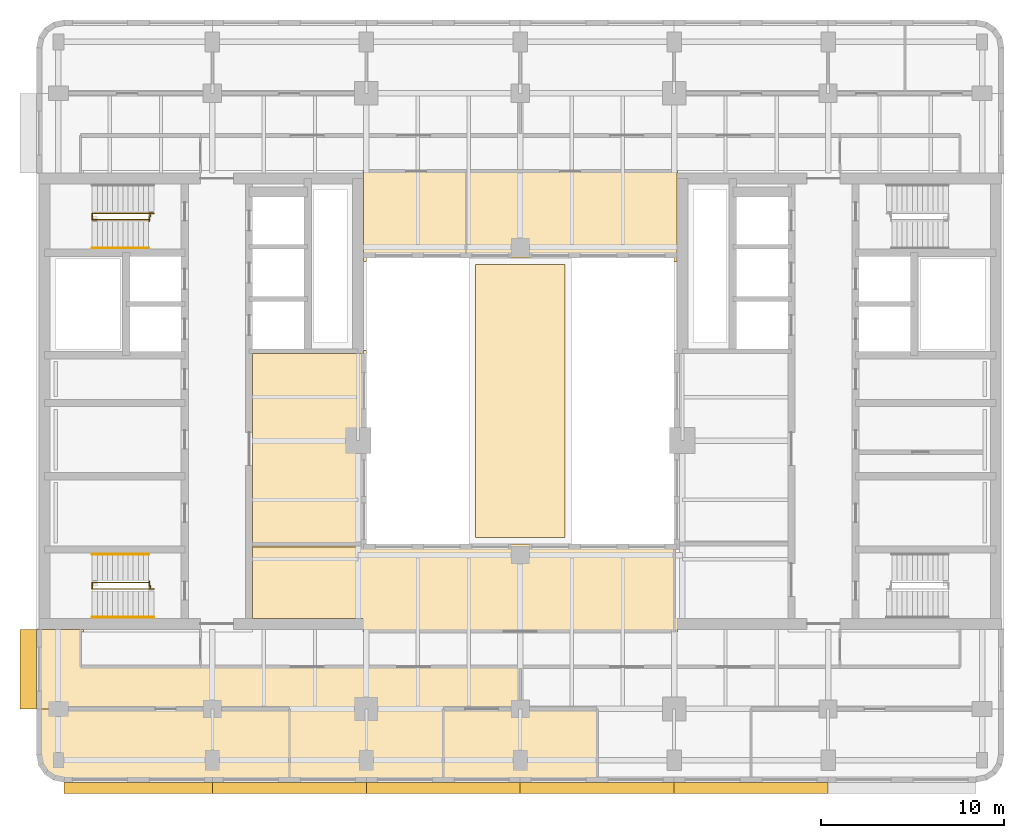
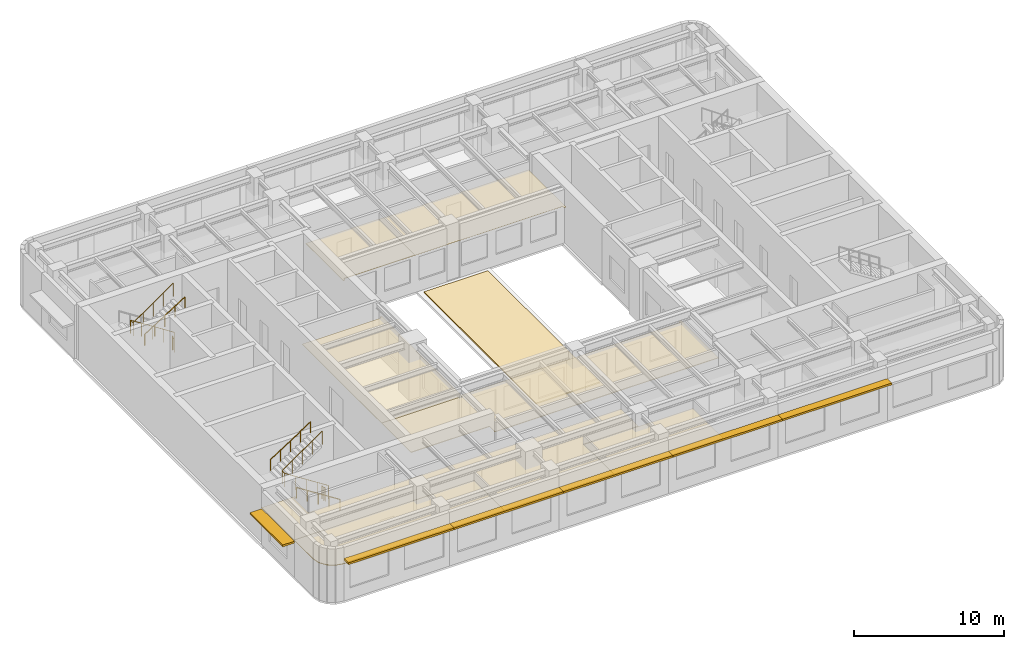
# One storey, part 9 of 11: 8 coverings, 7 railings, 6 shading devices.
"""IFC4 building model written with IfcOpenShell, lengths in metres."""

import ifcopenshell
import ifcopenshell.guid

model = None  # the IFC model being written
_history = None  # IfcOwnerHistory: only IFC2X3 demands one
_inside = {}  # id of a spatial element -> (the spatial element, [elements in it])
_under = {}  # id of a project, library or spatial element -> (it, [spatial elements below it])
_declared = {}  # id of a project -> (the project, [libraries it declares])
_typed = {}  # id of a type object -> (the type object, [elements of that type])
_made_of = {}  # id of a material, layer set ... -> (it, [elements and type objects made of it])


def new_model(schema):
    """Start an empty IFC model of exactly this schema.

    Asked for "IFC4X3", IfcOpenShell would pick the latest addendum, in which some entities
    have other attributes; the version numbers below select the first issue.
    IFC2X3 requires an IfcOwnerHistory on every rooted entity: one is made here for all.
    """
    global model, _history
    if schema == "IFC4X3":
        model = ifcopenshell.file(schema_version=(4, 3, 0, 0))
    else:
        model = ifcopenshell.file(schema=schema)
    _inside.clear()
    _under.clear()
    _declared.clear()
    _typed.clear()
    _made_of.clear()
    _history = None
    if model.schema == "IFC2X3":
        org = make("IfcOrganization", Name="unknown")
        user = make(
            "IfcPersonAndOrganization",
            ThePerson=make("IfcPerson", FamilyName="unknown"),
            TheOrganization=org,
        )
        app = make(
            "IfcApplication",
            ApplicationDeveloper=org,
            Version="unknown",
            ApplicationFullName="unknown",
            ApplicationIdentifier="unknown",
        )
        _history = make(
            "IfcOwnerHistory",
            OwningUser=user,
            OwningApplication=app,
            ChangeAction="ADDED",
            CreationDate=0,
        )
    return model


def make(cls, **values):
    """One entity of the class cls with the attributes given. An attribute that is None is left unset."""
    return model.create_entity(
        cls, **{name: value for name, value in values.items() if value is not None}
    )


def rooted(cls, **values):
    """An entity with a GlobalId (a new one), such as an element, a storey or a relation."""
    return make(cls, GlobalId=ifcopenshell.guid.new(), OwnerHistory=_history, **values)


def si_unit(unit_type, name, prefix=None):
    """IfcSIUnit, for example si_unit("LENGTHUNIT", "METRE", prefix="MILLI")."""
    return make("IfcSIUnit", UnitType=unit_type, Prefix=prefix, Name=name)


def assignment(units):
    """IfcUnitAssignment: the units of a project."""
    return None if units is None else make("IfcUnitAssignment", Units=units)


def point(xyz):
    """IfcCartesianPoint."""
    return None if xyz is None else make("IfcCartesianPoint", Coordinates=xyz)


def direction(xyz):
    """IfcDirection."""
    return None if xyz is None else make("IfcDirection", DirectionRatios=xyz)


def frame(location, z_axis=None, x_axis=None):
    """IfcAxis2Placement3D, a coordinate frame: its origin and axes. An axis left out is left unset."""
    return make(
        "IfcAxis2Placement3D",
        Location=point(location),
        Axis=direction(z_axis),
        RefDirection=direction(x_axis),
    )


def frame_2d(location, x_axis=None):
    """IfcAxis2Placement2D, a coordinate frame in the plane: its origin and x axis."""
    return make(
        "IfcAxis2Placement2D", Location=point(location), RefDirection=direction(x_axis)
    )


def origin():
    """The frame at (0, 0, 0) with its axes left unset."""
    return frame((0.0, 0.0, 0.0))


def origin_2d():
    """The frame at (0, 0) in the plane with its x axis left unset."""
    return frame_2d((0.0, 0.0))


def place(relative_to, where):
    """IfcLocalPlacement: puts the frame where relative to a parent placement (None: the world)."""
    return make(
        "IfcLocalPlacement", PlacementRelTo=relative_to, RelativePlacement=where
    )


def context(
    kind, dimensions, precision=None, world=None, true_north=None, identifier=None
):
    """IfcGeometricRepresentationContext, for example the 3D "Model" context."""
    return make(
        "IfcGeometricRepresentationContext",
        ContextIdentifier=identifier,
        ContextType=kind,
        CoordinateSpaceDimension=dimensions,
        Precision=precision,
        WorldCoordinateSystem=world,
        TrueNorth=true_north,
    )


def subcontext(parent, identifier, kind, view, scale=None):
    """IfcGeometricRepresentationSubContext, for example "Body" below "Model"."""
    return make(
        "IfcGeometricRepresentationSubContext",
        ContextIdentifier=identifier,
        ContextType=kind,
        ParentContext=parent,
        TargetScale=scale,
        TargetView=view,
    )


def project(units=None, contexts=None):
    """IfcProject with its units and contexts."""
    return rooted(
        "IfcProject",
        Name="project",
        RepresentationContexts=contexts,
        UnitsInContext=assignment(units),
    )


def spatial(cls, under=None, at=None, **own):
    """A site, building, storey or space (cls), placed at a placement, below another one or the project."""
    s = rooted(cls, ObjectPlacement=at, **own)
    if under is not None:
        _under.setdefault(under.id(), (under, []))[1].append(s)
    return s


def polyline(points):
    """IfcPolyline through the points."""
    return make("IfcPolyline", Points=[point(p) for p in points])


def profile(cls, at=None, kind="AREA", **sizes):
    """A parametric profile (cls). Its sizes go by their IFC names, for example OverallWidth=200.0."""
    return make(cls, ProfileType=kind, Position=at, **sizes)


def rectangle(**sizes):
    """IfcRectangleProfileDef."""
    return profile("IfcRectangleProfileDef", **sizes)


def circle(**sizes):
    """IfcCircleProfileDef."""
    return profile("IfcCircleProfileDef", **sizes)


def outline(outer, holes=None, kind="AREA"):
    """IfcArbitraryClosedProfileDef: a profile drawn as a closed curve; with holes, ...WithVoids."""
    if holes is None:
        return make("IfcArbitraryClosedProfileDef", ProfileType=kind, OuterCurve=outer)
    return make(
        "IfcArbitraryProfileDefWithVoids",
        ProfileType=kind,
        OuterCurve=outer,
        InnerCurves=holes,
    )


def extrude(swept, where, along, depth):
    """IfcExtrudedAreaSolid: the profile swept, set in the frame where, extruded along a direction by depth."""
    return make(
        "IfcExtrudedAreaSolid",
        SweptArea=swept,
        Position=where,
        ExtrudedDirection=direction(along),
        Depth=depth,
    )


def shape(context_of_items, identifier, shape_type, items):
    """IfcShapeRepresentation: the items that make up one representation, for example the "Body"."""
    return make(
        "IfcShapeRepresentation",
        ContextOfItems=context_of_items,
        RepresentationIdentifier=identifier,
        RepresentationType=shape_type,
        Items=items,
    )


def material(Name=None, Category=None):
    """IfcMaterial."""
    return make("IfcMaterial", Name=Name, Category=Category)


def layer(
    of_material, thickness, ventilated=None, Name=None, Category=None, Priority=None
):
    """IfcMaterialLayer: one layer of a wall or slab, of a material (None: an air gap)."""
    return make(
        "IfcMaterialLayer",
        Material=of_material,
        LayerThickness=thickness,
        IsVentilated=ventilated,
        Name=Name,
        Category=Category,
        Priority=Priority,
    )


def layer_set(layers, Name=None):
    """IfcMaterialLayerSet."""
    return make("IfcMaterialLayerSet", MaterialLayers=layers, LayerSetName=Name)


def made_of(thing, what):
    """Note that an element or type object is made of a material, layer set ...; save() writes the relation."""
    if what is not None:
        _made_of.setdefault(what.id(), (what, []))[1].append(thing)
    return thing


def type_object(cls, material=None, **own):
    """A type object (cls), such as IfcWallType, which elements share."""
    return made_of(rooted(cls, **own), material)


def element(
    cls,
    number,
    at=None,
    inside=None,
    cuts=None,
    type_object=None,
    material=None,
    context=None,
    identifier="Body",
    shape_type=None,
    held_by="IfcProductDefinitionShape",
    body=None,
    shapes=None,
    **own,
):
    """One element of the class cls, such as IfcWall. Its Tag is "e" and its number.

    at: its placement. inside: the storey or other place that contains it. cuts: it is an
    opening in that element (IfcRelVoidsElement). A single representation is given by context,
    identifier, shape_type and body (its items); several are given by shapes. held_by: the class
    of the entity that holds the representations. save() writes the other relations.
    """
    e = rooted(cls, Tag="e%d" % number, ObjectPlacement=at, **own)
    if body is not None:
        shapes = [shape(context, identifier, shape_type, body)]
    if shapes is not None:
        e.Representation = make(held_by, Representations=shapes)
    if inside is not None:
        _inside.setdefault(inside.id(), (inside, []))[1].append(e)
    if cuts is not None:
        rooted(
            "IfcRelVoidsElement", RelatingBuildingElement=cuts, RelatedOpeningElement=e
        )
    if type_object is not None:
        _typed.setdefault(type_object.id(), (type_object, []))[1].append(e)
    return made_of(e, material)


def aggregate(whole, parts):
    """IfcRelAggregates: a whole, such as a stair, and the parts it consists of."""
    return rooted("IfcRelAggregates", RelatingObject=whole, RelatedObjects=parts)


def save(model, path):
    """Write the relations noted so far, then the file.

    IfcRelAggregates (storeys below a building ...), IfcRelContainedInSpatialStructure (elements
    in a storey), IfcRelDefinesByType, IfcRelAssociatesMaterial and IfcRelDeclares: one each for
    every whole, place, type object, material and project.
    """
    for whole, parts in _under.values():
        aggregate(whole, parts)
    for where, things in _inside.values():
        rooted(
            "IfcRelContainedInSpatialStructure",
            RelatedElements=things,
            RelatingStructure=where,
        )
    for kind, things in _typed.values():
        rooted("IfcRelDefinesByType", RelatedObjects=things, RelatingType=kind)
    for what, things in _made_of.values():
        rooted("IfcRelAssociatesMaterial", RelatedObjects=things, RelatingMaterial=what)
    for by, libraries in _declared.values():
        rooted("IfcRelDeclares", RelatingContext=by, RelatedDefinitions=libraries)
    model.write(path)


model = new_model("IFC4")

# Units and contexts
model_context = context("Model", 3, precision=1e-05, world=origin(), true_north=direction((0.0, 1.0)))
body_context = subcontext(model_context, "Body", "Model", "MODEL_VIEW")
ifc_project = project(units=[si_unit("LENGTHUNIT", "METRE"), si_unit("AREAUNIT", "SQUARE_METRE"), si_unit("VOLUMEUNIT", "CUBIC_METRE"), si_unit("PLANEANGLEUNIT", "RADIAN"), si_unit("MASSUNIT", "GRAM", prefix="KILO")], contexts=[model_context])

# Site, building, storey
site_placement = place(None, origin())
site = spatial("IfcSite", under=ifc_project, at=site_placement, CompositionType="ELEMENT")
building_placement = place(site_placement, origin())
building = spatial("IfcBuilding", under=site, at=building_placement, Name="Claustro Exchange Tower", CompositionType="ELEMENT")
storey_placement = place(building_placement, frame((0.0, 0.0, 254.699951171875)))
storey = spatial("IfcBuildingStorey", under=building, at=storey_placement, Name="L58", CompositionType="ELEMENT", Elevation=254.699951171875)

# Coverings
ifc_material_1 = material(Name="Gypsum board ceiling", Category="gypsum board")
ifc_layer_1 = layer(ifc_material_1, 0.02490234375)
ifc_layer_set_1 = layer_set([ifc_layer_1], Name="Gypsum board ceiling")
covering_type_1 = type_object("IfcCoveringType", Name="CL2 plasterboard ceiling", PredefinedType="CEILING", material=ifc_layer_set_1)
covering_1_placement = place(storey_placement, frame((0.0, 0.0, 3.0)))
element("IfcCovering", 1, at=covering_1_placement, inside=storey, type_object=covering_type_1, Name="Ceiling CL2 L58-02", PredefinedType="CEILING", context=body_context, shape_type="SweptSolid", body=[
    extrude(outline(polyline([(21.0, 4.39990234375), (29.39990234375, 4.39990234375), (29.39990234375, 8.39990234375), (21.0, 8.39990234375), (21.0, 4.39990234375)])), origin(), (0.0, 0.0, 1.0), 0.025146484375),
])
covering_2_placement = place(storey_placement, frame((0.0, 0.0, 3.0)))
element("IfcCovering", 2, at=covering_2_placement, inside=storey, type_object=covering_type_1, Name="Ceiling CL2 L58-14", PredefinedType="CEILING", context=body_context, shape_type="SweptSolid", body=[
    extrude(outline(polyline([(33.60009765625, 33.0), (33.60009765625, 32.830078125), (33.75, 32.830078125), (33.75, 37.64990234375), (33.77001953125, 37.64990234375), (33.77001953125, 37.800048828125), (22.239990234375, 37.800048828125), (22.239990234375, 33.0), (33.60009765625, 33.0)])), origin(), (0.0, 0.0, 1.0), 0.025146484375),
])
ifc_material_2 = material(Name="Oak slats on acoustic backing", Category="wood")
ifc_layer_2 = layer(ifc_material_2, 0.050048828125)
ifc_layer_set_2 = layer_set([ifc_layer_2], Name="Oak slats on acoustic backing")
covering_type_2 = type_object("IfcCoveringType", Name="CL3 timber slat ceiling", PredefinedType="CEILING", material=ifc_layer_set_2)
covering_3_placement = place(storey_placement, frame((0.0, 0.0, 3.0)))
element("IfcCovering", 3, at=covering_3_placement, inside=storey, type_object=covering_type_2, Name="Ceiling CL3 L58-01", PredefinedType="CEILING", context=body_context, shape_type="SweptSolid", body=[
    extrude(outline(polyline([(-1.085693359375, 5.325927734375), (-0.7607421875, 4.83935546875), (-0.27392578125, 4.51416015625), (0.300048828125, 4.39990234375), (12.60009765625, 4.39990234375), (12.60009765625, 8.39990234375), (-1.199951171875, 8.39990234375), (-1.199951171875, 5.89990234375), (-1.085693359375, 5.325927734375)])), origin(), (0.0, 0.0, 1.0), 0.050048828125),
])
covering_4_placement = place(storey_placement, frame((0.0, 0.0, 3.0)))
element("IfcCovering", 4, at=covering_4_placement, inside=storey, type_object=covering_type_2, Name="Ceiling CL3 L58-04", PredefinedType="CEILING", context=body_context, shape_type="SweptSolid", body=[
    extrude(outline(polyline([(1.199951171875, 10.699951171875), (1.199951171875, 12.60009765625), (1.3701171875, 12.60009765625), (1.3701171875, 12.75), (-1.050048828125, 12.75), (-1.050048828125, 12.77001953125), (-1.199951171875, 12.77001953125), (-1.199951171875, 8.39990234375), (12.60009765625, 8.39990234375), (12.60009765625, 4.39990234375), (21.0, 4.39990234375), (21.0, 8.39990234375), (25.199951171875, 8.39990234375), (25.199951171875, 10.699951171875), (1.199951171875, 10.699951171875)])), origin(), (0.0, 0.0, 1.0), 0.050048828125),
])
covering_5_placement = place(storey_placement, frame((0.0, 0.0, 3.0)))
element("IfcCovering", 5, at=covering_5_placement, inside=storey, type_object=covering_type_2, Name="Ceiling CL3 L58-09", PredefinedType="CEILING", context=body_context, shape_type="SweptSolid", body=[
    extrude(outline(polyline([(33.60009765625, 17.39990234375), (16.800048828125, 17.39990234375), (16.800048828125, 17.570068359375), (10.60009765625, 17.570068359375), (10.60009765625, 13.330078125), (16.6298828125, 13.330078125), (16.6298828125, 12.60009765625), (33.77001953125, 12.60009765625), (33.77001953125, 17.570068359375), (33.60009765625, 17.570068359375), (33.60009765625, 17.39990234375)])), origin(), (0.0, 0.0, 1.0), 0.050048828125),
])
covering_6_placement = place(storey_placement, frame((0.0, 0.0, 3.0)))
element("IfcCovering", 6, at=covering_6_placement, inside=storey, type_object=covering_type_2, Name="Ceiling CL3 L58-11", PredefinedType="CEILING", context=body_context, shape_type="SweptSolid", body=[
    extrude(outline(polyline([(10.60009765625, 27.800048828125), (10.60009765625, 17.22998046875), (16.800048828125, 17.22998046875), (16.800048828125, 27.969970703125), (16.64990234375, 27.969970703125), (16.64990234375, 27.800048828125), (10.60009765625, 27.800048828125)])), origin(), (0.0, 0.0, 1.0), 0.050048828125),
])
covering_7_placement = place(storey_placement, frame((0.0, 0.0, 3.0)))
element("IfcCovering", 7, at=covering_7_placement, inside=storey, type_object=covering_type_2, Name="Ceiling CL3 L58-13", PredefinedType="CEILING", context=body_context, shape_type="SweptSolid", body=[
    extrude(outline(polyline([(22.239990234375, 37.800048828125), (16.6298828125, 37.800048828125), (16.6298828125, 37.64990234375), (16.64990234375, 37.64990234375), (16.64990234375, 32.830078125), (16.800048828125, 32.830078125), (16.800048828125, 33.0), (22.239990234375, 33.0), (22.239990234375, 37.800048828125)])), origin(), (0.0, 0.0, 1.0), 0.050048828125),
])

# Railings
ifc_material_3 = material(Name="Steel balustrade, painted", Category="steel")
railing_type_1 = type_object("IfcRailingType", Name="GR2 1100 steel stair guard", PredefinedType="GUARDRAIL", material=ifc_material_3)
railing_1_placement = place(storey_placement, frame((5.199951171875, 14.949951171875, 0.179931640625)))
element("IfcRailing", 8, at=railing_1_placement, inside=storey, type_object=railing_type_1, Name="Stair well guard GR2 stair STWA L58", PredefinedType="GUARDRAIL", context=body_context, shape_type="SweptSolid", body=[
    extrude(circle(Radius=0.02392578125, at=origin_2d()), frame((0.0, 0.0, 1.076171875), z_axis=(-0.841150671818, 0.0, 0.540800838849), x_axis=(0.0, -1.0, 0.0)), (0.0, 0.0, 1.0), 3.994384765625),
    extrude(circle(Radius=0.02392578125, at=origin_2d()), frame((-3.35986328125, 0.0, 3.236328125), z_axis=(0.0, 1.0, 0.0), x_axis=(-1.0, 0.0, 0.0)), (0.0, 0.0, 1.0), 0.35009765625),
    extrude(circle(Radius=0.02392578125, at=origin_2d()), frame((-3.35986328125, 0.35009765625, 3.236328125), z_axis=(0.818728512145, 0.0, 0.574180828137), x_axis=(0.0, 1.0, 0.0)), (0.0, 0.0, 1.0), 3.76171875),
    extrude(circle(Radius=0.02099609375, at=origin_2d()), origin(), (0.0, 0.0, 1.0), 1.052001953125),
    extrude(circle(Radius=0.02099609375, at=origin_2d()), frame((-0.83984375, 0.0, 0.5400390625)), (0.0, 0.0, 1.0), 1.052001953125),
    extrude(circle(Radius=0.02099609375, at=origin_2d()), frame((-1.679931640625, 0.0, 1.080078125)), (0.0, 0.0, 1.0), 1.052001953125),
    extrude(circle(Radius=0.02099609375, at=origin_2d()), frame((-2.52001953125, 0.0, 1.6201171875)), (0.0, 0.0, 1.0), 1.052001953125),
    extrude(circle(Radius=0.02099609375, at=origin_2d()), frame((-3.35986328125, 0.0, 2.16015625)), (0.0, 0.0, 1.0), 1.052001953125),
    extrude(circle(Radius=0.02099609375, at=origin_2d()), frame((-3.35986328125, 0.35009765625, 2.16015625)), (0.0, 0.0, 1.0), 1.052001953125),
    extrude(circle(Radius=0.02099609375, at=origin_2d()), frame((-2.58984375, 0.35009765625, 2.7001953125)), (0.0, 0.0, 1.0), 1.052001953125),
    extrude(circle(Radius=0.02099609375, at=origin_2d()), frame((-1.81982421875, 0.35009765625, 3.240234375)), (0.0, 0.0, 1.0), 1.052001953125),
    extrude(circle(Radius=0.02099609375, at=origin_2d()), frame((-1.050048828125, 0.35009765625, 3.780029296875)), (0.0, 0.0, 1.0), 1.052001953125),
    extrude(circle(Radius=0.02099609375, at=origin_2d()), frame((-0.280029296875, 0.35009765625, 4.320068359375)), (0.0, 0.0, 1.0), 1.052001953125),
])
railing_2_placement = place(storey_placement, frame((5.0, 15.02001953125, 0.0)))
element("IfcRailing", 9, at=railing_2_placement, inside=storey, type_object=railing_type_1, Name="Stair guard GR2 STWA L58", PredefinedType="GUARDRAIL", context=body_context, shape_type="SweptSolid", body=[
    extrude(circle(Radius=0.02392578125, at=origin_2d()), frame((0.0, 0.0, 1.076171875), z_axis=(0.0, 1.0, 0.0), x_axis=(-1.0, 0.0, 0.0)), (0.0, 0.0, 1.0), 0.10498046875),
    extrude(circle(Radius=0.02392578125, at=origin_2d()), frame((0.0, 0.10498046875, 1.076171875), z_axis=(-1.0, 0.0, 0.0), x_axis=(0.0, -1.0, 0.0)), (0.0, 0.0, 1.0), 0.054931640625),
    extrude(circle(Radius=0.02392578125, at=origin_2d()), frame((-0.054931640625, 0.10498046875, 1.076171875), z_axis=(0.0, 1.0, 0.0), x_axis=(-1.0, 0.0, 0.0)), (0.0, 0.0, 1.0), 0.2548828125),
    extrude(circle(Radius=0.02099609375, at=origin_2d()), origin(), (0.0, 0.0, 1.0), 1.052001953125),
    extrude(circle(Radius=0.02099609375, at=origin_2d()), frame((0.0, 0.10498046875, 0.0)), (0.0, 0.0, 1.0), 1.052001953125),
    extrude(circle(Radius=0.02099609375, at=origin_2d()), frame((-0.054931640625, 0.10498046875, 0.0)), (0.0, 0.0, 1.0), 1.052001953125),
    extrude(circle(Radius=0.02099609375, at=origin_2d()), frame((-0.054931640625, 0.35986328125, 0.0)), (0.0, 0.0, 1.0), 1.052001953125),
])
railing_3_placement = place(storey_placement, frame((5.199951171875, 35.449951171875, 0.179931640625)))
element("IfcRailing", 10, at=railing_3_placement, inside=storey, type_object=railing_type_1, Name="Stair well guard GR2 stair STWB L58", PredefinedType="GUARDRAIL", context=body_context, shape_type="SweptSolid", body=[
    extrude(circle(Radius=0.02392578125, at=origin_2d()), frame((0.0, 0.0, 1.076171875), z_axis=(-0.841150671818, 0.0, 0.540800838849), x_axis=(0.0, -1.0, 0.0)), (0.0, 0.0, 1.0), 3.994384765625),
    extrude(circle(Radius=0.02392578125, at=origin_2d()), frame((-3.35986328125, 0.0, 3.236328125), z_axis=(0.0, -1.0, 0.0), x_axis=(1.0, 0.0, 0.0)), (0.0, 0.0, 1.0), 0.349853515625),
    extrude(circle(Radius=0.02392578125, at=origin_2d()), frame((-3.35986328125, -0.349853515625, 3.236328125), z_axis=(0.818728512145, 0.0, 0.574180828137), x_axis=(0.0, 1.0, 0.0)), (0.0, 0.0, 1.0), 3.76171875),
    extrude(circle(Radius=0.02099609375, at=origin_2d()), origin(), (0.0, 0.0, 1.0), 1.052001953125),
    extrude(circle(Radius=0.02099609375, at=origin_2d()), frame((-0.83984375, 0.0, 0.5400390625)), (0.0, 0.0, 1.0), 1.052001953125),
    extrude(circle(Radius=0.02099609375, at=origin_2d()), frame((-1.679931640625, 0.0, 1.080078125)), (0.0, 0.0, 1.0), 1.052001953125),
    extrude(circle(Radius=0.02099609375, at=origin_2d()), frame((-2.52001953125, 0.0, 1.6201171875)), (0.0, 0.0, 1.0), 1.052001953125),
    extrude(circle(Radius=0.02099609375, at=origin_2d()), frame((-3.35986328125, 0.0, 2.16015625)), (0.0, 0.0, 1.0), 1.052001953125),
    extrude(circle(Radius=0.02099609375, at=origin_2d()), frame((-3.35986328125, -0.349853515625, 2.16015625)), (0.0, 0.0, 1.0), 1.052001953125),
    extrude(circle(Radius=0.02099609375, at=origin_2d()), frame((-2.58984375, -0.349853515625, 2.7001953125)), (0.0, 0.0, 1.0), 1.052001953125),
    extrude(circle(Radius=0.02099609375, at=origin_2d()), frame((-1.81982421875, -0.349853515625, 3.240234375)), (0.0, 0.0, 1.0), 1.052001953125),
    extrude(circle(Radius=0.02099609375, at=origin_2d()), frame((-1.050048828125, -0.349853515625, 3.780029296875)), (0.0, 0.0, 1.0), 1.052001953125),
    extrude(circle(Radius=0.02099609375, at=origin_2d()), frame((-0.280029296875, -0.349853515625, 4.320068359375)), (0.0, 0.0, 1.0), 1.052001953125),
])
railing_4_placement = place(storey_placement, frame((5.0, 35.3798828125, 0.0)))
element("IfcRailing", 11, at=railing_4_placement, inside=storey, type_object=railing_type_1, Name="Stair guard GR2 STWB L58", PredefinedType="GUARDRAIL", context=body_context, shape_type="SweptSolid", body=[
    extrude(circle(Radius=0.02392578125, at=origin_2d()), frame((0.0, 0.0, 1.076171875), z_axis=(0.0, -1.0, 0.0), x_axis=(1.0, 0.0, 0.0)), (0.0, 0.0, 1.0), 0.10498046875),
    extrude(circle(Radius=0.02392578125, at=origin_2d()), frame((0.0, -0.10498046875, 1.076171875), z_axis=(-1.0, 0.0, 0.0), x_axis=(0.0, -1.0, 0.0)), (0.0, 0.0, 1.0), 0.054931640625),
    extrude(circle(Radius=0.02392578125, at=origin_2d()), frame((-0.054931640625, -0.10498046875, 1.076171875), z_axis=(0.0, -1.0, 0.0), x_axis=(1.0, 0.0, 0.0)), (0.0, 0.0, 1.0), 0.2548828125),
    extrude(circle(Radius=0.02099609375, at=origin_2d()), origin(), (0.0, 0.0, 1.0), 1.052001953125),
    extrude(circle(Radius=0.02099609375, at=origin_2d()), frame((0.0, -0.10498046875, 0.0)), (0.0, 0.0, 1.0), 1.052001953125),
    extrude(circle(Radius=0.02099609375, at=origin_2d()), frame((-0.054931640625, -0.10498046875, 0.0)), (0.0, 0.0, 1.0), 1.052001953125),
    extrude(circle(Radius=0.02099609375, at=origin_2d()), frame((-0.054931640625, -0.35986328125, 0.0)), (0.0, 0.0, 1.0), 1.052001953125),
])
ifc_material_4 = material(Name="Stainless steel tube", Category="steel")
railing_type_2 = type_object("IfcRailingType", Name="HR1 900 stair handrail", PredefinedType="HANDRAIL", material=ifc_material_4)
railing_5_placement = place(storey_placement, frame((5.199951171875, 13.409912109375, 0.179931640625)))
element("IfcRailing", 12, at=railing_5_placement, inside=storey, type_object=railing_type_2, Name="Handrail HR1 stair STWA L58", PredefinedType="HANDRAIL", context=body_context, shape_type="SweptSolid", body=[
    extrude(circle(Radius=0.02392578125, at=origin_2d()), frame((0.0, 0.0, 0.8759765625), z_axis=(-0.841150671818, 0.0, 0.540800838849), x_axis=(0.0, -1.0, 0.0)), (0.0, 0.0, 1.0), 3.994384765625),
    extrude(circle(Radius=0.02099609375, at=origin_2d()), origin(), (0.0, 0.0, 1.0), 0.851806640625),
    extrude(circle(Radius=0.02099609375, at=origin_2d()), frame((-0.83984375, 0.0, 0.5400390625)), (0.0, 0.0, 1.0), 0.851806640625),
    extrude(circle(Radius=0.02099609375, at=origin_2d()), frame((-1.679931640625, 0.0, 1.080078125)), (0.0, 0.0, 1.0), 0.851806640625),
    extrude(circle(Radius=0.02099609375, at=origin_2d()), frame((-2.52001953125, 0.0, 1.6201171875)), (0.0, 0.0, 1.0), 0.851806640625),
    extrude(circle(Radius=0.02099609375, at=origin_2d()), frame((-3.35986328125, 0.0, 2.16015625)), (0.0, 0.0, 1.0), 0.851806640625),
])
for number, where, name in (
    (13, (1.840087890625, 16.840087890625, 2.52001953125), "Handrail HR1 stair STWA L58"),
    (14, (1.840087890625, 33.56005859375, 2.52001953125), "Handrail HR1 stair STWB L58"),
):
    element("IfcRailing", number, at=place(storey_placement, frame(where)), inside=storey, type_object=railing_type_2, Name=name, PredefinedType="HANDRAIL", context=body_context, shape_type="SweptSolid", body=[
        extrude(circle(Radius=0.02392578125, at=origin_2d()), frame((0.0, 0.0, 0.8759765625), z_axis=(0.841167642724, 0.0, 0.540774441735), x_axis=(0.0, 1.0, 0.0)), (0.0, 0.0, 1.0), 3.661376953125),
        extrude(circle(Radius=0.02099609375, at=origin_2d()), origin(), (0.0, 0.0, 1.0), 0.851806640625),
        extrude(circle(Radius=0.02099609375, at=origin_2d()), frame((0.77001953125, 0.0, 0.4951171875)), (0.0, 0.0, 1.0), 0.851806640625),
        extrude(circle(Radius=0.02099609375, at=origin_2d()), frame((1.5400390625, 0.0, 0.989990234375)), (0.0, 0.0, 1.0), 0.851806640625),
        extrude(circle(Radius=0.02099609375, at=origin_2d()), frame((2.309814453125, 0.0, 1.48486328125)), (0.0, 0.0, 1.0), 0.851806640625),
        extrude(circle(Radius=0.02099609375, at=origin_2d()), frame((3.079833984375, 0.0, 1.97998046875)), (0.0, 0.0, 1.0), 0.851806640625),
    ])

# Covering
ifc_material_5 = material(Name="Bituminous membrane, insulation, gravel ballast", Category="bitumen")
ifc_layer_3 = layer(ifc_material_5, 0.10009765625)
ifc_layer_set_3 = layer_set([ifc_layer_3], Name="Bituminous membrane, insulation, gravel ballast")
covering_type_3 = type_object("IfcCoveringType", Name="RM1 100 inverted roof membrane and ballast", PredefinedType="ROOFING", material=ifc_layer_set_3)
covering_8_placement = place(storey_placement, origin())
element("IfcCovering", 15, at=covering_8_placement, inside=storey, type_object=covering_type_3, Name="Roof finish RM1 over L57", PredefinedType="ROOFING", context=body_context, shape_type="SweptSolid", body=[
    extrude(outline(polyline([(27.64990234375, 17.75), (27.64990234375, 32.64990234375), (22.75, 32.64990234375), (22.75, 17.75), (27.64990234375, 17.75)])), origin(), (0.0, 0.0, 1.0), 0.10009765625),
])

# Shading devices
ifc_material_6 = material(Name="Concrete HA-40 (C40/50), precast, white cement, acid-etched", Category="concrete")
ifc_layer_4 = layer(ifc_material_6, 0.14990234375)
ifc_layer_set_4 = layer_set([ifc_layer_4], Name="Concrete HA-40 (C40/50), precast, white cement, acid-etched")
shading_device_type_1 = type_object("IfcShadingDeviceType", Name="SS1 600 precast concrete SUNSHADE", PredefinedType="SHUTTER", material=ifc_layer_set_4)
for number, where, z_axis, x_axis, name in (
    (16, (37.800048828125, 4.10009765625, 3.300048828125), (0.0, 0.0, 1.0), (-1.0, 0.0, 0.0), "Precast SUNSHADE SS1 L58"),
    (17, (29.39990234375, 4.10009765625, 3.300048828125), (0.0, 0.0, 1.0), (-1.0, 0.0, 0.0), "Precast SUNSHADE SS1 L58"),
    (18, (21.0, 4.10009765625, 3.300048828125), (0.0, 0.0, 1.0), (-1.0, 0.0, 0.0), "Precast SUNSHADE SS1 L58"),
    (19, (12.60009765625, 4.10009765625, 3.300048828125), (0.0, 0.0, 1.0), (-1.0, 0.0, 0.0), "Precast SUNSHADE SS1 L58"),
):
    element("IfcShadingDevice", number, at=place(storey_placement, frame(where, z_axis=z_axis, x_axis=x_axis)), inside=storey, type_object=shading_device_type_1, Name=name, PredefinedType="SHUTTER", context=body_context, shape_type="SweptSolid", body=[
        extrude(rectangle(XDim=8.39990234375, YDim=0.60009765625, at=origin_2d()), origin(), (0.0, 0.0, 1.0), 0.14990234375),
    ])
shading_device_1_placement = place(storey_placement, frame((4.357421875, 4.10009765625, 3.300048828125), z_axis=(0.0, 0.0, 1.0), x_axis=(-1.0, 0.0, 0.0)))
element("IfcShadingDevice", 20, at=shading_device_1_placement, inside=storey, type_object=shading_device_type_1, Name="Precast SUNSHADE SS1 L58", PredefinedType="SHUTTER", context=body_context, shape_type="SweptSolid", body=[
    extrude(rectangle(XDim=8.085205078125, YDim=0.60009765625, at=origin_2d()), origin(), (0.0, 0.0, 1.0), 0.14990234375),
])
ifc_material_7 = material(Name="Concrete HA-40 (C40/50), precast, white cement, acid-etched", Category="concrete")
ifc_layer_5 = layer(ifc_material_7, 0.14990234375)
ifc_layer_set_5 = layer_set([ifc_layer_5], Name="Concrete HA-40 (C40/50), precast, white cement, acid-etched")
shading_device_type_2 = type_object("IfcShadingDeviceType", Name="SS2 900 precast concrete SUNSHADE", PredefinedType="SHUTTER", material=ifc_layer_set_5)
shading_device_2_placement = place(storey_placement, frame((-1.64990234375, 10.574951171875, 2.800048828125), z_axis=(0.0, 0.0, 1.0), x_axis=(0.0, 1.0, 0.0)))
element("IfcShadingDevice", 21, at=shading_device_2_placement, inside=storey, type_object=shading_device_type_2, Name="Precast SUNSHADE SS2 L58", PredefinedType="SHUTTER", context=body_context, shape_type="SweptSolid", body=[
    extrude(rectangle(XDim=4.35009765625, YDim=0.89990234375, at=origin_2d()), origin(), (0.0, 0.0, 1.0), 0.14990234375),
])

save(model, "model.ifc")
